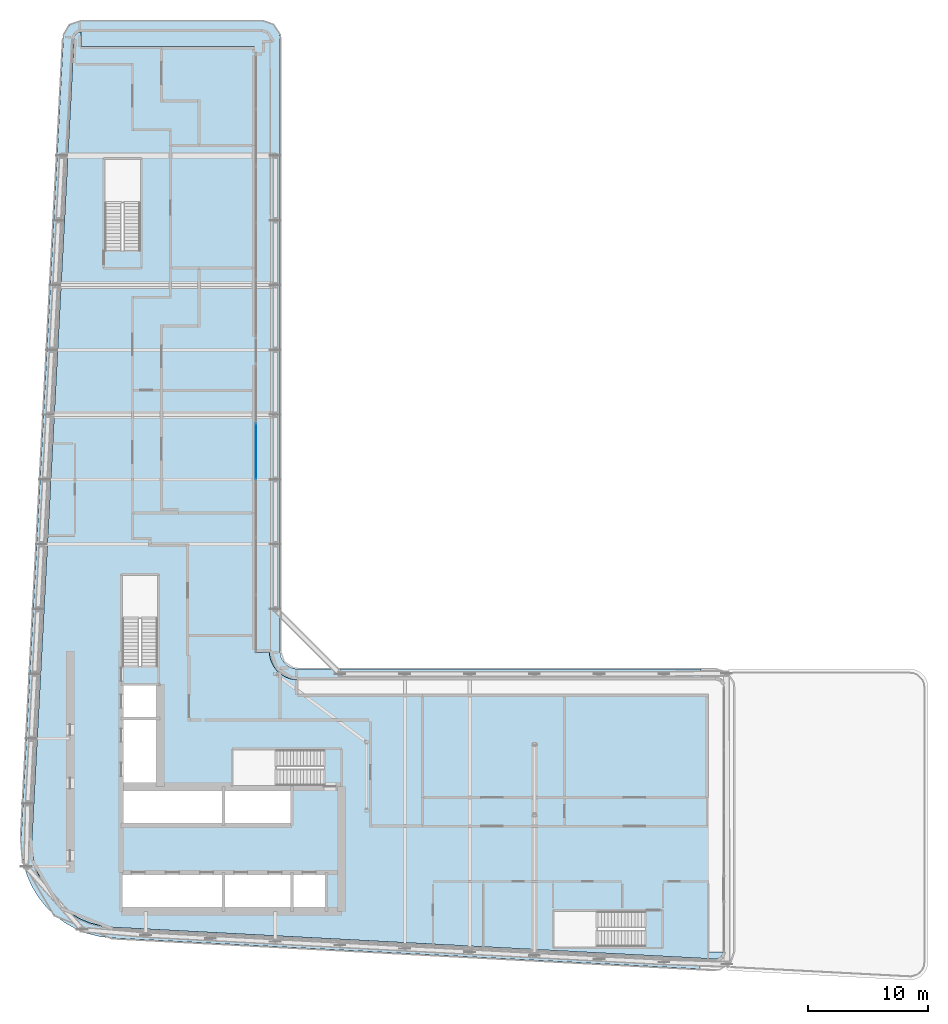
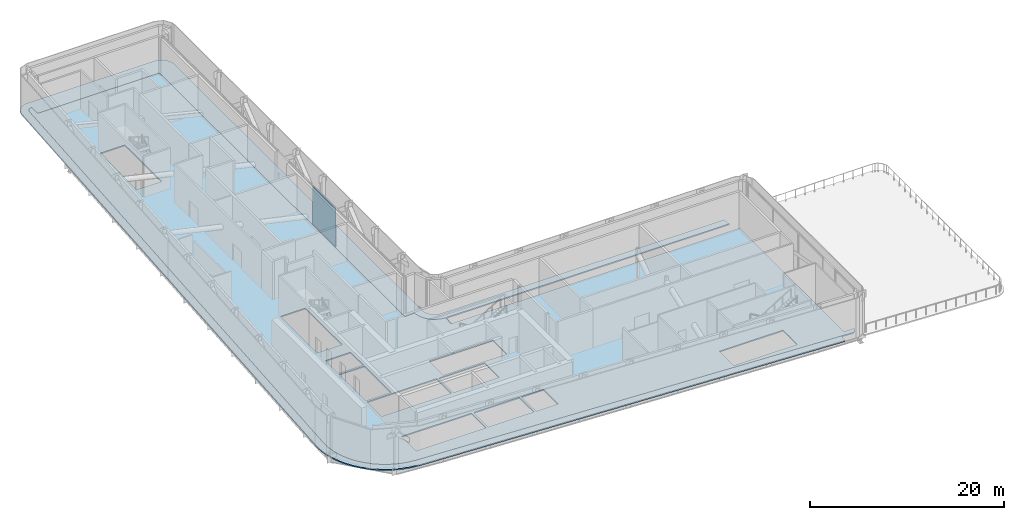
# One storey, part 11 of 23: 2 slabs, 1 plate, 1 element without a shape of its own.
"""IFC4 building model written with IfcOpenShell, lengths in metres."""

from ifc_helpers import new_model, si_unit, direction, frame, origin, origin_2d, place, context, subcontext, project, spatial, polyline, rectangle, outline, extrude, material, layer, layer_set, type_object, element, aggregate, save


model = new_model("IFC4")

# Units and contexts
model_context = context("Model", 3, precision=1e-05, world=origin(), true_north=direction((0.0, 1.0)))
body_context = subcontext(model_context, "Body", "Model", "MODEL_VIEW")
ifc_project = project(units=[si_unit("LENGTHUNIT", "METRE"), si_unit("AREAUNIT", "SQUARE_METRE"), si_unit("VOLUMEUNIT", "CUBIC_METRE"), si_unit("PLANEANGLEUNIT", "RADIAN"), si_unit("MASSUNIT", "GRAM", prefix="KILO")], contexts=[model_context])

# Site, building, storey
site_placement = place(None, origin())
site = spatial("IfcSite", under=ifc_project, at=site_placement, CompositionType="ELEMENT")
building_placement = place(site_placement, origin())
building = spatial("IfcBuilding", under=site, at=building_placement, Name="Kheshtan School and Residences Tower", CompositionType="ELEMENT")
storey_placement = place(building_placement, frame((0.0, 0.0, 211.10009765625)))
storey = spatial("IfcBuildingStorey", under=building, at=storey_placement, Name="L49", CompositionType="ELEMENT", Elevation=211.10009765625)

# Curtain wall, plate
ifc_material_1 = material(Name="Clear low-e glass in thermally broken aluminium frame", Category="aluminium")
ifc_layer_1 = layer(ifc_material_1, 0.25)
ifc_layer_set_1 = layer_set([ifc_layer_1], Name="Curtain wall CW-G")
curtain_wall_type = type_object("IfcCurtainWallType", Name="Curtain wall CW-G", PredefinedType="NOTDEFINED", material=ifc_layer_set_1)
curtain_wall_placement = place(storey_placement, origin())
curtain_wall = element("IfcCurtainWall", 1, at=curtain_wall_placement, inside=storey, type_object=curtain_wall_type, Name="Curtain wall CWG19a", PredefinedType="NOTDEFINED")
ifc_material_2 = material(Name="Insulated terracotta infill panel", Category="masonry")
ifc_layer_2 = layer(ifc_material_2, 0.0380859375)
ifc_layer_set_2 = layer_set([ifc_layer_2], Name="CW-G insulated infill panel")
plate_type = type_object("IfcPlateType", Name="CW-G insulated infill panel", PredefinedType="CURTAIN_PANEL", material=ifc_layer_set_2)
plate_placement = place(storey_placement, frame((46.0, 64.138916015625, 0.0), z_axis=(0.0, 0.0, 1.0), x_axis=(0.0, -1.0, 0.0)))
plate = element("IfcPlate", 2, at=plate_placement, type_object=plate_type, Name="CWG19a infill 2.1", PredefinedType="CURTAIN_PANEL", context=body_context, shape_type="SweptSolid", body=[
    extrude(rectangle(XDim=4.714111328125, YDim=0.0380859375, at=origin_2d()), origin(), (0.0, 0.0, 1.0), 4.7900390625),
])
aggregate(curtain_wall, [plate])

# Slabs
ifc_material_3 = material(Name="Concrete C40/50", Category="concrete")
ifc_layer_3 = layer(ifc_material_3, 0.14990234375)
ifc_layer_set_3 = layer_set([ifc_layer_3], Name="Floor slab 150 Concrete C40/50")
slab_type_1 = type_object("IfcSlabType", Name="Floor slab 150 Concrete C40/50", PredefinedType="FLOOR", material=ifc_layer_set_3)
slab_1_placement = place(storey_placement, frame((0.0, 0.0, -0.150146484375)))
element("IfcSlab", 3, at=slab_1_placement, inside=storey, type_object=slab_type_1, Name="Floor slab L49", PredefinedType="FLOOR", context=body_context, shape_type="SweptSolid", body=[
    extrude(outline(polyline([(30.888916015625, 98.77001953125), (30.931884765625, 98.840087890625), (30.98291015625, 98.904052734375), (31.04296875, 98.9619140625), (31.10693359375, 99.008056640625), (31.18310546875, 99.047119140625), (31.260986328125, 99.074951171875), (31.341064453125, 99.092041015625), (31.423095703125, 99.097900390625), (31.423095703125, 97.902099609375), (31.423095703125, 97.90087890625), (31.424072265625, 97.89990234375), (31.425048828125, 97.89990234375), (45.85009765625, 97.89990234375), (45.85498046875, 97.89990234375), (45.860107421875, 97.89892578125), (45.864990234375, 97.89794921875), (45.868896484375, 97.89599609375), (45.8740234375, 97.89404296875), (45.8779296875, 97.89208984375), (45.882080078125, 97.888916015625), (45.885009765625, 97.885009765625), (45.888916015625, 97.882080078125), (45.89208984375, 97.8779296875), (45.89404296875, 97.8740234375), (45.89599609375, 97.868896484375), (45.89794921875, 97.864990234375), (45.89892578125, 97.860107421875), (45.89990234375, 97.85498046875), (45.89990234375, 97.85009765625), (45.89990234375, 97.39990234375), (45.89990234375, 47.501953125), (45.89990234375, 47.5009765625), (45.89990234375, 47.429931640625), (45.905029296875, 47.361083984375), (47.10205078125, 47.43994140625), (47.118896484375, 47.18603515625), (47.179931640625, 46.87890625), (47.281005859375, 46.5810546875), (47.419921875, 46.299072265625), (47.593994140625, 46.0390625), (47.801025390625, 45.801025390625), (48.0390625, 45.593994140625), (48.299072265625, 45.419921875), (48.5810546875, 45.281005859375), (48.87890625, 45.179931640625), (49.18603515625, 45.118896484375), (49.43994140625, 45.10205078125), (49.361083984375, 43.905029296875), (49.429931640625, 43.89990234375), (49.5, 43.89990234375), (49.5, 43.90087890625), (49.5009765625, 43.89990234375), (49.501953125, 43.89990234375), (83.64990234375, 43.89990234375), (83.655029296875, 43.89990234375), (83.659912109375, 43.89892578125), (83.6650390625, 43.89794921875), (83.6689453125, 43.89599609375), (83.674072265625, 43.89404296875), (83.677978515625, 43.89208984375), (83.681884765625, 43.888916015625), (83.68505859375, 43.885009765625), (83.68896484375, 43.882080078125), (83.69189453125, 43.8779296875), (83.694091796875, 43.8740234375), (83.696044921875, 43.868896484375), (83.697998046875, 43.864990234375), (83.698974609375, 43.860107421875), (83.699951171875, 43.85498046875), (83.699951171875, 43.85009765625), (83.699951171875, 22.43603515625), (83.699951171875, 22.43505859375), (83.700927734375, 22.43408203125), (83.701904296875, 22.43408203125), (84.89794921875, 22.43408203125), (84.89208984375, 22.35400390625), (84.8759765625, 22.27392578125), (84.84912109375, 22.196044921875), (84.81298828125, 22.125), (84.76708984375, 22.06005859375), (84.7109375, 21.9990234375), (84.64892578125, 21.947998046875), (84.5810546875, 21.905029296875), (84.507080078125, 21.8720703125), (84.429931640625, 21.85009765625), (84.35009765625, 21.837890625), (84.243896484375, 21.8359375), (84.238037109375, 21.8359375), (34.056884765625, 24.47802734375), (33.114990234375, 24.590087890625), (32.215087890625, 24.819091796875), (31.35205078125, 25.1630859375), (30.541015625, 25.616943359375), (29.798095703125, 26.172119140625), (29.134033203125, 26.820068359375), (28.55908203125, 27.550048828125), (28.0849609375, 28.345947265625), (27.718017578125, 29.200927734375), (27.466064453125, 30.093994140625), (27.3330078125, 31.013916015625), (27.320068359375, 31.965087890625), (27.320068359375, 31.970947265625), (30.822021484375, 98.5009765625), (30.822998046875, 98.508056640625), (30.8359375, 98.613037109375), (30.85693359375, 98.69189453125), (30.888916015625, 98.77001953125)]), holes=[polyline([(43.175048828125, 28.925048828125), (34.875, 28.925048828125), (34.875, 25.925048828125), (43.175048828125, 25.925048828125), (43.175048828125, 28.925048828125)]), polyline([(43.175048828125, 36.074951171875), (34.875, 36.074951171875), (34.875, 33.074951171875), (43.175048828125, 33.074951171875), (43.175048828125, 36.074951171875)]), polyline([(34.875, 41.77490234375), (34.875, 36.324951171875), (37.875, 36.324951171875), (37.875, 41.77490234375), (34.875, 41.77490234375)]), polyline([(37.875, 44.625), (34.875, 44.625), (34.875, 42.02490234375), (37.875, 42.02490234375), (37.875, 44.625)]), polyline([(36.25, 46.25), (37.800048828125, 46.25), (37.800048828125, 53.81005859375), (34.85009765625, 53.81005859375), (34.85009765625, 46.260009765625), (36.25, 46.260009765625), (36.25, 46.25)]), polyline([(33.39990234375, 88.4599609375), (33.39990234375, 80.909912109375), (34.800048828125, 80.909912109375), (34.800048828125, 80.89990234375), (36.35009765625, 80.89990234375), (36.35009765625, 88.4599609375), (33.39990234375, 88.4599609375)]), polyline([(70.85009765625, 25.800048828125), (70.85009765625, 22.85009765625), (78.39990234375, 22.85009765625), (78.39990234375, 24.25), (78.409912109375, 24.25), (78.409912109375, 25.800048828125), (70.85009765625, 25.800048828125)]), polyline([(43.425048828125, 28.925048828125), (43.425048828125, 25.925048828125), (48.875, 25.925048828125), (48.875, 28.925048828125), (43.425048828125, 28.925048828125)]), polyline([(49.125, 28.925048828125), (49.125, 25.925048828125), (51.72509765625, 25.925048828125), (51.72509765625, 28.925048828125), (49.125, 28.925048828125)]), polyline([(43.425048828125, 36.074951171875), (43.425048828125, 33.074951171875), (48.875, 33.074951171875), (48.875, 36.074951171875), (43.425048828125, 36.074951171875)]), polyline([(51.64990234375, 37.699951171875), (51.64990234375, 39.25), (44.090087890625, 39.25), (44.090087890625, 36.300048828125), (51.639892578125, 36.300048828125), (51.639892578125, 37.699951171875), (51.64990234375, 37.699951171875)])]), origin(), (0.0, 0.0, 1.0), 0.150146484375),
])
ifc_layer_4 = layer(ifc_material_3, 0.14990234375)
ifc_layer_set_4 = layer_set([ifc_layer_4], Name="Loggia balcony slab 150 Concrete C40/50")
slab_type_2 = type_object("IfcSlabType", Name="Loggia balcony slab 150 Concrete C40/50", PredefinedType="FLOOR", material=ifc_layer_set_4)
slab_2_placement = place(storey_placement, frame((0.0, 0.0, -0.150146484375)))
element("IfcSlab", 4, at=slab_2_placement, inside=storey, type_object=slab_type_2, Name="Loggia balcony slab L49", PredefinedType="FLOOR", context=body_context, shape_type="SweptSolid", body=[
    extrude(outline(polyline([(28.4580078125, 26.222900390625), (28.45703125, 26.222900390625), (27.81494140625, 27.0390625), (27.281005859375, 27.93798828125), (26.867919921875, 28.89990234375), (26.583984375, 29.90087890625), (26.583984375, 29.906982421875), (26.43408203125, 30.943115234375), (26.419921875, 31.989013671875), (29.925048828125, 98.5791015625), (29.930908203125, 98.625), (29.930908203125, 98.6259765625), (29.930908203125, 98.626953125), (29.929931640625, 98.626953125), (29.929931640625, 98.6279296875), (29.928955078125, 98.6279296875), (29.928955078125, 98.62890625), (29.927978515625, 98.62890625), (29.927978515625, 98.6298828125), (29.927001953125, 98.6298828125), (29.927001953125, 98.631103515625), (29.927001953125, 98.632080078125), (29.945068359375, 98.781005859375), (29.945068359375, 98.781982421875), (29.945068359375, 98.782958984375), (29.946044921875, 98.782958984375), (29.946044921875, 98.783935546875), (29.946044921875, 98.784912109375), (29.946044921875, 98.785888671875), (29.947021484375, 98.785888671875), (29.947021484375, 98.787109375), (29.947998046875, 98.787109375), (29.947998046875, 98.7880859375), (29.948974609375, 98.7880859375), (29.949951171875, 98.7880859375), (29.949951171875, 98.7890625), (29.950927734375, 98.7890625), (29.950927734375, 98.7900390625), (29.950927734375, 98.794921875), (30.0029296875, 98.98388671875), (30.083984375, 99.175048828125), (30.18896484375, 99.35302734375), (30.31201171875, 99.508056640625), (30.31298828125, 99.508056640625), (30.31298828125, 99.509033203125), (30.31396484375, 99.509033203125), (30.31396484375, 99.510009765625), (30.31494140625, 99.510009765625), (30.31494140625, 99.510986328125), (30.31591796875, 99.510986328125), (30.31591796875, 99.511962890625), (30.31689453125, 99.511962890625), (30.31689453125, 99.512939453125), (30.318115234375, 99.512939453125), (30.320068359375, 99.512939453125), (30.321044921875, 99.512939453125), (30.321044921875, 99.513916015625), (30.464111328125, 99.656982421875), (30.465087890625, 99.656982421875), (30.468017578125, 99.656982421875), (30.468994140625, 99.656982421875), (30.468994140625, 99.657958984375), (30.469970703125, 99.657958984375), (30.469970703125, 99.658935546875), (30.470947265625, 99.658935546875), (30.470947265625, 99.659912109375), (30.471923828125, 99.659912109375), (30.471923828125, 99.660888671875), (30.472900390625, 99.660888671875), (30.472900390625, 99.662109375), (30.47412109375, 99.662109375), (30.47412109375, 99.6630859375), (30.635986328125, 99.777099609375), (30.820068359375, 99.873046875), (31.008056640625, 99.943115234375), (31.013916015625, 99.943115234375), (31.217041015625, 99.986083984375), (31.423095703125, 100.0), (46.5, 100.0), (46.696044921875, 99.987060546875), (46.887939453125, 99.948974609375), (46.89404296875, 99.948974609375), (47.073974609375, 99.885986328125), (47.241943359375, 99.801025390625), (47.242919921875, 99.801025390625), (47.24609375, 99.801025390625), (47.2470703125, 99.801025390625), (47.2470703125, 99.802001953125), (47.248046875, 99.802001953125), (47.248046875, 99.802978515625), (47.2490234375, 99.802978515625), (47.2509765625, 99.802978515625), (47.251953125, 99.802978515625), (47.251953125, 99.802001953125), (47.2529296875, 99.802001953125), (47.25390625, 99.802001953125), (47.2548828125, 99.802001953125), (47.2548828125, 99.801025390625), (47.256103515625, 99.801025390625), (47.256103515625, 99.800048828125), (47.257080078125, 99.800048828125), (47.257080078125, 99.799072265625), (47.258056640625, 99.799072265625), (47.258056640625, 99.798095703125), (47.259033203125, 99.798095703125), (47.259033203125, 99.797119140625), (47.4130859375, 99.695068359375), (47.4140625, 99.695068359375), (47.4140625, 99.694091796875), (47.4150390625, 99.694091796875), (47.4150390625, 99.693115234375), (47.416015625, 99.693115234375), (47.416015625, 99.69189453125), (47.4169921875, 99.69189453125), (47.41796875, 99.69189453125), (47.41796875, 99.69091796875), (47.4189453125, 99.69091796875), (47.55908203125, 99.570068359375), (47.55908203125, 99.569091796875), (47.56005859375, 99.569091796875), (47.56005859375, 99.568115234375), (47.56103515625, 99.568115234375), (47.56103515625, 99.56689453125), (47.56201171875, 99.56689453125), (47.56298828125, 99.56689453125), (47.56396484375, 99.56689453125), (47.56689453125, 99.56396484375), (47.56689453125, 99.56298828125), (47.56689453125, 99.56201171875), (47.56689453125, 99.56103515625), (47.568115234375, 99.56103515625), (47.568115234375, 99.56005859375), (47.569091796875, 99.56005859375), (47.569091796875, 99.55908203125), (47.570068359375, 99.55908203125), (47.69091796875, 99.4189453125), (47.69091796875, 99.41796875), (47.69189453125, 99.41796875), (47.69189453125, 99.4169921875), (47.69189453125, 99.416015625), (47.693115234375, 99.416015625), (47.693115234375, 99.4150390625), (47.694091796875, 99.4150390625), (47.694091796875, 99.4140625), (47.695068359375, 99.4140625), (47.695068359375, 99.4130859375), (47.799072265625, 99.257080078125), (47.800048828125, 99.257080078125), (47.800048828125, 99.256103515625), (47.801025390625, 99.256103515625), (47.801025390625, 99.2548828125), (47.802001953125, 99.2548828125), (47.802001953125, 99.25390625), (47.802001953125, 99.2529296875), (47.802001953125, 99.251953125), (47.802978515625, 99.251953125), (47.802978515625, 99.2509765625), (47.802978515625, 99.2490234375), (47.802978515625, 99.248046875), (47.802001953125, 99.248046875), (47.802001953125, 99.2470703125), (47.801025390625, 99.2470703125), (47.801025390625, 99.24609375), (47.801025390625, 99.243896484375), (47.801025390625, 99.242919921875), (47.885986328125, 99.073974609375), (47.948974609375, 98.89404296875), (47.948974609375, 98.887939453125), (47.987060546875, 98.696044921875), (48.0, 98.5), (48.0, 47.5), (48.012939453125, 47.303955078125), (48.051025390625, 47.113037109375), (48.051025390625, 47.10791015625), (48.051025390625, 47.10693359375), (48.114013671875, 46.926025390625), (48.200927734375, 46.75), (48.31005859375, 46.5869140625), (48.43310546875, 46.443115234375), (48.43408203125, 46.443115234375), (48.43408203125, 46.44189453125), (48.43505859375, 46.44189453125), (48.43505859375, 46.44091796875), (48.43603515625, 46.44091796875), (48.43603515625, 46.43994140625), (48.43701171875, 46.43994140625), (48.43701171875, 46.43896484375), (48.43798828125, 46.43896484375), (48.43896484375, 46.43896484375), (48.43896484375, 46.43798828125), (48.43896484375, 46.43701171875), (48.43994140625, 46.43701171875), (48.43994140625, 46.43603515625), (48.44091796875, 46.43603515625), (48.44091796875, 46.43505859375), (48.44189453125, 46.43505859375), (48.44189453125, 46.43408203125), (48.443115234375, 46.43408203125), (48.443115234375, 46.43310546875), (48.5869140625, 46.31005859375), (48.75, 46.200927734375), (48.926025390625, 46.114013671875), (49.10693359375, 46.051025390625), (49.10791015625, 46.051025390625), (49.113037109375, 46.051025390625), (49.303955078125, 46.012939453125), (49.5, 46.0), (83.090087890625, 46.0), (83.091064453125, 46.0), (83.091064453125, 45.9990234375), (83.076904296875, 45.863037109375), (83.075927734375, 45.837890625), (83.075927734375, 45.662109375), (83.076904296875, 45.636962890625), (83.10498046875, 45.363037109375), (83.10888671875, 45.339111328125), (83.14501953125, 45.1669921875), (83.15087890625, 45.14306640625), (83.15087890625, 45.136962890625), (83.15087890625, 45.135986328125), (83.1640625, 45.10693359375), (83.1640625, 45.10107421875), (83.1640625, 45.10009765625), (83.1630859375, 45.10009765625), (49.501953125, 45.10009765625), (49.5009765625, 45.10009765625), (49.5009765625, 45.09912109375), (49.5, 45.09912109375), (49.5, 45.097900390625), (49.5, 43.90087890625), (49.5, 43.89990234375), (49.4990234375, 43.89990234375), (49.429931640625, 43.89990234375), (49.362060546875, 43.905029296875), (49.361083984375, 43.905029296875), (49.361083984375, 43.906005859375), (49.43994140625, 45.09912109375), (49.43994140625, 45.10009765625), (49.43994140625, 45.10107421875), (49.43896484375, 45.10107421875), (49.43896484375, 45.10205078125), (49.43798828125, 45.10205078125), (49.43701171875, 45.10205078125), (49.18603515625, 45.118896484375), (48.87890625, 45.179931640625), (48.873046875, 45.179931640625), (48.5810546875, 45.281005859375), (48.299072265625, 45.419921875), (48.0390625, 45.593994140625), (47.805908203125, 45.794921875), (47.805908203125, 45.7958984375), (47.804931640625, 45.7958984375), (47.804931640625, 45.797119140625), (47.803955078125, 45.797119140625), (47.803955078125, 45.798095703125), (47.802978515625, 45.798095703125), (47.802978515625, 45.799072265625), (47.802001953125, 45.799072265625), (47.802001953125, 45.800048828125), (47.802001953125, 45.801025390625), (47.801025390625, 45.801025390625), (47.801025390625, 45.802001953125), (47.800048828125, 45.802001953125), (47.799072265625, 45.802001953125), (47.799072265625, 45.802978515625), (47.798095703125, 45.802978515625), (47.798095703125, 45.803955078125), (47.797119140625, 45.803955078125), (47.797119140625, 45.804931640625), (47.7958984375, 45.804931640625), (47.7958984375, 45.805908203125), (47.794921875, 45.805908203125), (47.593994140625, 46.0390625), (47.419921875, 46.299072265625), (47.281005859375, 46.5810546875), (47.179931640625, 46.873046875), (47.179931640625, 46.87890625), (47.118896484375, 47.18603515625), (47.10205078125, 47.43701171875), (47.10205078125, 47.43798828125), (47.10205078125, 47.43896484375), (47.10107421875, 47.43896484375), (47.10107421875, 47.43994140625), (47.10009765625, 47.43994140625), (47.09912109375, 47.43994140625), (45.906005859375, 47.361083984375), (45.905029296875, 47.361083984375), (45.905029296875, 47.362060546875), (45.89990234375, 47.429931640625), (45.89990234375, 97.39111328125), (45.89990234375, 97.39208984375), (45.89892578125, 97.39208984375), (45.89892578125, 97.39306640625), (45.89794921875, 97.39306640625), (45.89794921875, 97.39404296875), (45.89697265625, 97.39404296875), (45.89599609375, 97.39404296875), (45.89599609375, 97.39501953125), (45.89599609375, 97.39599609375), (45.89501953125, 97.39599609375), (45.89501953125, 97.39697265625), (45.89404296875, 97.39697265625), (45.89404296875, 97.39794921875), (45.89306640625, 97.39794921875), (45.89208984375, 97.39794921875), (45.89208984375, 97.39892578125), (45.89111328125, 97.39892578125), (45.889892578125, 97.39990234375), (45.887939453125, 97.402099609375), (45.887939453125, 97.403076171875), (45.887939453125, 97.404052734375), (45.885986328125, 97.406982421875), (45.885986328125, 97.407958984375), (45.885009765625, 97.407958984375), (45.885009765625, 97.408935546875), (45.884033203125, 97.408935546875), (45.884033203125, 97.409912109375), (45.883056640625, 97.409912109375), (45.883056640625, 97.410888671875), (45.882080078125, 97.410888671875), (45.882080078125, 97.412109375), (45.882080078125, 97.416015625), (45.882080078125, 97.4169921875), (45.881103515625, 97.4169921875), (45.881103515625, 97.41796875), (45.881103515625, 97.4208984375), (45.881103515625, 97.422119140625), (45.8798828125, 97.422119140625), (45.8798828125, 97.423095703125), (45.8798828125, 97.85498046875), (45.8798828125, 97.85595703125), (45.87890625, 97.85595703125), (45.87890625, 97.85693359375), (45.87890625, 97.85791015625), (45.87890625, 97.85888671875), (45.8779296875, 97.85888671875), (45.8779296875, 97.860107421875), (45.8779296875, 97.861083984375), (45.876953125, 97.861083984375), (45.876953125, 97.862060546875), (45.876953125, 97.863037109375), (45.876953125, 97.864013671875), (45.8759765625, 97.864013671875), (45.8759765625, 97.864990234375), (45.8759765625, 97.865966796875), (45.875, 97.865966796875), (45.875, 97.866943359375), (45.875, 97.867919921875), (45.8740234375, 97.867919921875), (45.8740234375, 97.868896484375), (45.873046875, 97.868896484375), (45.873046875, 97.8701171875), (45.8720703125, 97.8701171875), (45.8720703125, 97.87109375), (45.87109375, 97.87109375), (45.87109375, 97.8720703125), (45.8701171875, 97.8720703125), (45.8701171875, 97.873046875), (45.868896484375, 97.873046875), (45.867919921875, 97.873046875), (45.867919921875, 97.8740234375), (45.866943359375, 97.8740234375), (45.866943359375, 97.875), (45.865966796875, 97.875), (45.865966796875, 97.8759765625), (45.864990234375, 97.8759765625), (45.864013671875, 97.8759765625), (45.864013671875, 97.876953125), (45.863037109375, 97.876953125), (45.862060546875, 97.876953125), (45.861083984375, 97.876953125), (45.861083984375, 97.8779296875), (45.860107421875, 97.8779296875), (45.85888671875, 97.8779296875), (45.85888671875, 97.87890625), (45.85791015625, 97.87890625), (45.85693359375, 97.87890625), (45.85595703125, 97.87890625), (45.85595703125, 97.8798828125), (45.85498046875, 97.8798828125), (31.446044921875, 97.8798828125), (31.445068359375, 97.8798828125), (31.445068359375, 97.881103515625), (31.444091796875, 97.881103515625), (31.44091796875, 97.881103515625), (31.43994140625, 97.881103515625), (31.43994140625, 97.882080078125), (31.43896484375, 97.882080078125), (31.43701171875, 97.882080078125), (31.43603515625, 97.882080078125), (31.43603515625, 97.883056640625), (31.43505859375, 97.883056640625), (31.43408203125, 97.883056640625), (31.43310546875, 97.883056640625), (31.43310546875, 97.884033203125), (31.431884765625, 97.884033203125), (31.431884765625, 97.885009765625), (31.430908203125, 97.885009765625), (31.430908203125, 97.885986328125), (31.429931640625, 97.885986328125), (31.428955078125, 97.885986328125), (31.428955078125, 97.886962890625), (31.427978515625, 97.886962890625), (31.427001953125, 97.886962890625), (31.427001953125, 97.887939453125), (31.426025390625, 97.887939453125), (31.425048828125, 97.887939453125), (31.423095703125, 97.889892578125), (31.422119140625, 97.89111328125), (31.419921875, 97.89306640625), (31.41796875, 97.89501953125), (31.4140625, 97.89892578125), (31.4130859375, 97.89990234375), (31.410888671875, 97.902099609375), (31.410888671875, 97.903076171875), (31.410888671875, 97.904052734375), (31.408935546875, 97.906982421875), (31.408935546875, 97.907958984375), (31.407958984375, 97.907958984375), (31.407958984375, 97.908935546875), (31.406982421875, 97.908935546875), (31.406982421875, 97.909912109375), (31.405029296875, 97.9130859375), (31.405029296875, 97.916015625), (31.405029296875, 97.9169921875), (31.404052734375, 97.9169921875), (31.404052734375, 97.91796875), (31.404052734375, 97.9208984375), (31.404052734375, 97.922119140625), (31.403076171875, 97.922119140625), (31.403076171875, 97.923095703125), (31.403076171875, 99.076904296875), (31.403076171875, 99.077880859375), (31.404052734375, 99.077880859375), (31.404052734375, 99.0791015625), (31.404052734375, 99.08203125), (31.404052734375, 99.0830078125), (31.405029296875, 99.0830078125), (31.405029296875, 99.083984375), (31.405029296875, 99.0869140625), (31.406982421875, 99.090087890625), (31.406982421875, 99.091064453125), (31.407958984375, 99.091064453125), (31.407958984375, 99.092041015625), (31.408935546875, 99.092041015625), (31.408935546875, 99.093017578125), (31.408935546875, 99.094970703125), (31.408935546875, 99.095947265625), (31.407958984375, 99.095947265625), (31.407958984375, 99.096923828125), (31.406982421875, 99.096923828125), (31.406005859375, 99.096923828125), (31.341064453125, 99.092041015625), (31.261962890625, 99.074951171875), (31.257080078125, 99.074951171875), (31.256103515625, 99.074951171875), (31.18310546875, 99.047119140625), (31.10693359375, 99.008056640625), (31.048095703125, 98.967041015625), (31.048095703125, 98.966064453125), (31.047119140625, 98.966064453125), (31.047119140625, 98.965087890625), (31.0458984375, 98.965087890625), (31.0458984375, 98.964111328125), (31.044921875, 98.964111328125), (31.044921875, 98.962890625), (31.0439453125, 98.962890625), (31.0439453125, 98.9619140625), (31.04296875, 98.9619140625), (31.04296875, 98.9609375), (30.986083984375, 98.904052734375), (30.985107421875, 98.904052734375), (30.98291015625, 98.904052734375), (30.98193359375, 98.904052734375), (30.98193359375, 98.903076171875), (30.98095703125, 98.903076171875), (30.98095703125, 98.902099609375), (30.97998046875, 98.902099609375), (30.97998046875, 98.90087890625), (30.97900390625, 98.90087890625), (30.97900390625, 98.89990234375), (30.97802734375, 98.89990234375), (30.97802734375, 98.89892578125), (30.97705078125, 98.89892578125), (30.931884765625, 98.840087890625), (30.888916015625, 98.77001953125), (30.85693359375, 98.69189453125), (30.8359375, 98.618896484375), (30.8359375, 98.617919921875), (30.8359375, 98.613037109375), (30.822021484375, 98.5009765625), (27.320068359375, 31.970947265625), (27.3330078125, 31.013916015625), (27.466064453125, 30.093994140625), (27.466064453125, 30.089111328125), (27.466064453125, 30.087890625), (27.718017578125, 29.200927734375), (28.0849609375, 28.345947265625), (28.55908203125, 27.550048828125), (29.1279296875, 26.824951171875), (29.12890625, 26.824951171875), (29.12890625, 26.823974609375), (29.1298828125, 26.823974609375), (29.1298828125, 26.822998046875), (29.131103515625, 26.822998046875), (29.131103515625, 26.822021484375), (29.132080078125, 26.822021484375), (29.132080078125, 26.821044921875), (29.133056640625, 26.821044921875), (29.133056640625, 26.820068359375), (29.134033203125, 26.820068359375), (29.136962890625, 26.820068359375), (29.137939453125, 26.820068359375), (29.138916015625, 26.820068359375), (29.7958984375, 26.173095703125), (29.7958984375, 26.172119140625), (29.797119140625, 26.172119140625), (29.798095703125, 26.172119140625), (29.799072265625, 26.172119140625), (29.799072265625, 26.1708984375), (29.800048828125, 26.1708984375), (29.800048828125, 26.169921875), (29.801025390625, 26.169921875), (29.801025390625, 26.1689453125), (29.802001953125, 26.1689453125), (29.802001953125, 26.16796875), (29.802978515625, 26.16796875), (29.802978515625, 26.1669921875), (30.541015625, 25.616943359375), (31.35205078125, 25.1630859375), (32.2099609375, 24.819091796875), (32.2109375, 24.819091796875), (32.216064453125, 24.819091796875), (33.114990234375, 24.590087890625), (34.06591796875, 24.47705078125), (83.134033203125, 21.89404296875), (83.135009765625, 21.89404296875), (83.135009765625, 21.89306640625), (83.135009765625, 21.886962890625), (83.08203125, 21.739990234375), (83.08203125, 21.739013671875), (83.08203125, 21.73291015625), (83.075927734375, 21.708984375), (83.04296875, 21.552001953125), (83.0390625, 21.529052734375), (83.013916015625, 21.3349609375), (83.011962890625, 21.31103515625), (83.006103515625, 21.035888671875), (83.007080078125, 21.011962890625), (83.008056640625, 21.0009765625), (83.008056640625, 21.0), (83.007080078125, 21.0), (33.989013671875, 23.580078125), (33.943115234375, 23.5859375), (33.94189453125, 23.5859375), (33.94091796875, 23.5859375), (33.94091796875, 23.5849609375), (33.93994140625, 23.5849609375), (33.93994140625, 23.583984375), (33.93896484375, 23.583984375), (33.93896484375, 23.5830078125), (33.93798828125, 23.5830078125), (33.93798828125, 23.58203125), (33.93701171875, 23.58203125), (33.93603515625, 23.58203125), (32.952880859375, 23.697998046875), (32.951904296875, 23.697998046875), (32.950927734375, 23.697998046875), (32.950927734375, 23.698974609375), (32.949951171875, 23.698974609375), (32.948974609375, 23.698974609375), (32.947998046875, 23.698974609375), (32.947998046875, 23.699951171875), (32.947021484375, 23.699951171875), (32.947021484375, 23.700927734375), (32.946044921875, 23.700927734375), (32.946044921875, 23.701904296875), (32.946044921875, 23.702880859375), (32.946044921875, 23.7041015625), (32.945068359375, 23.7041015625), (32.945068359375, 23.705078125), (32.944091796875, 23.705078125), (32.943115234375, 23.705078125), (31.93603515625, 23.9609375), (31.929931640625, 23.9609375), (30.964111328125, 24.34912109375), (30.051025390625, 24.860107421875), (29.218017578125, 25.47998046875), (29.218017578125, 25.48095703125), (29.217041015625, 25.48095703125), (29.217041015625, 25.48193359375), (29.216064453125, 25.48193359375), (29.216064453125, 25.48291015625), (29.215087890625, 25.48291015625), (29.215087890625, 25.48388671875), (29.214111328125, 25.48388671875), (29.214111328125, 25.485107421875), (29.212890625, 25.485107421875), (29.212890625, 25.486083984375), (29.2119140625, 25.486083984375), (29.208984375, 25.486083984375), (29.2080078125, 25.486083984375), (29.20703125, 25.486083984375), (28.466064453125, 26.217041015625), (28.466064453125, 26.218017578125), (28.465087890625, 26.218017578125), (28.462890625, 26.218017578125), (28.4619140625, 26.218017578125), (28.4619140625, 26.218994140625), (28.4609375, 26.218994140625), (28.4609375, 26.219970703125), (28.4599609375, 26.219970703125), (28.4599609375, 26.220947265625), (28.458984375, 26.220947265625), (28.458984375, 26.221923828125), (28.4580078125, 26.221923828125), (28.4580078125, 26.222900390625)])), origin(), (0.0, 0.0, 1.0), 0.150146484375),
])

save(model, "model.ifc")
